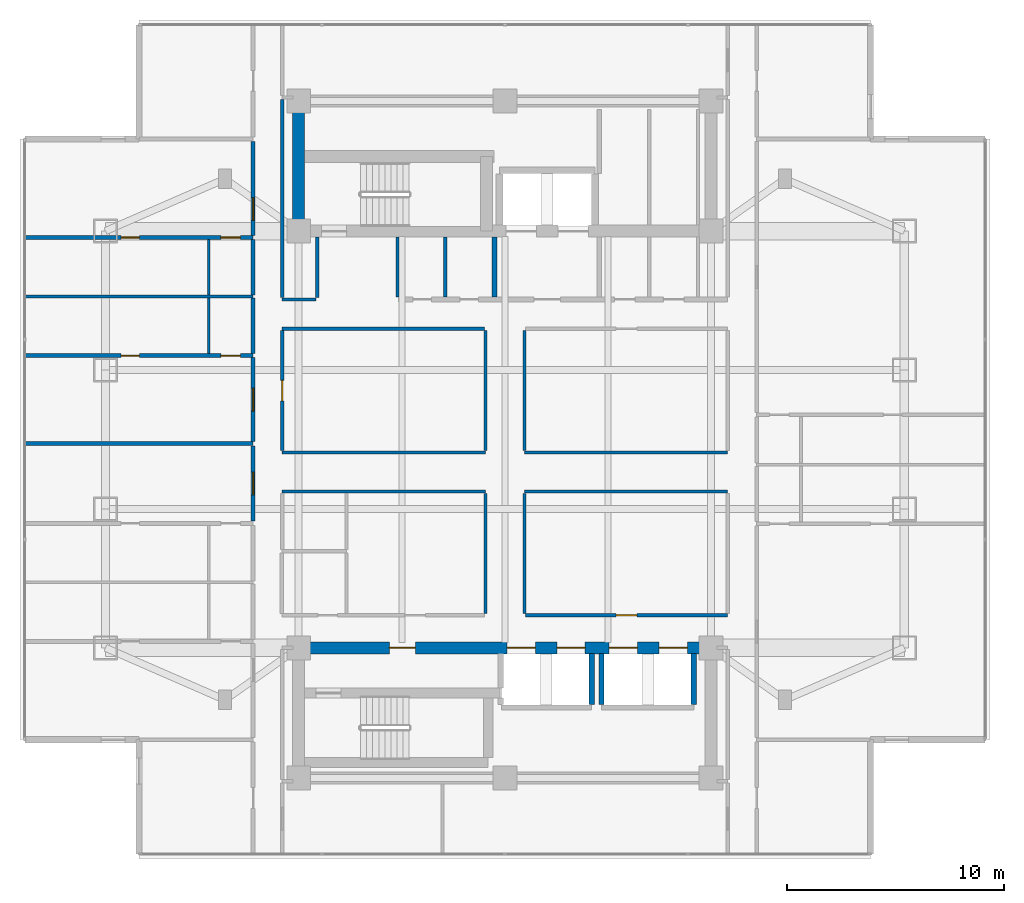
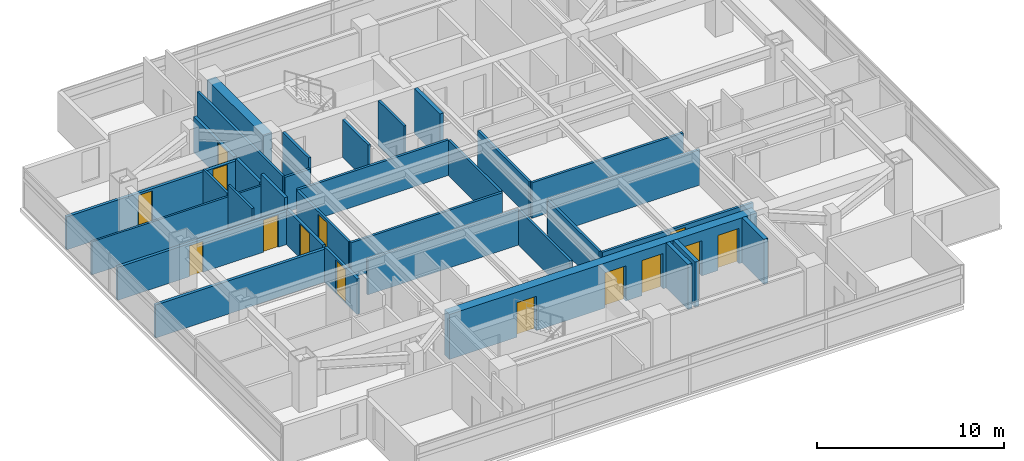
# One storey, part 14 of 24: 33 walls, 14 doors, 14 openings.
"""IFC4 building model written with IfcOpenShell, lengths in metres."""

from ifc_helpers import new_model, si_unit, direction, frame, frame_2d, origin, place, context, subcontext, project, spatial, rectangle, extrude, material, layer, layer_set, type_object, element, fill, save


model = new_model("IFC4")

# Units and contexts
model_context = context("Model", 3, precision=1e-05, world=origin(), true_north=direction((0.0, 1.0)))
body_context = subcontext(model_context, "Body", "Model", "MODEL_VIEW")
ifc_project = project(units=[si_unit("LENGTHUNIT", "METRE"), si_unit("AREAUNIT", "SQUARE_METRE"), si_unit("VOLUMEUNIT", "CUBIC_METRE"), si_unit("PLANEANGLEUNIT", "RADIAN"), si_unit("MASSUNIT", "GRAM", prefix="KILO")], contexts=[model_context])

# Site, building, storey
site_placement = place(None, origin())
site = spatial("IfcSite", under=ifc_project, at=site_placement, CompositionType="ELEMENT")
building_placement = place(site_placement, origin())
building = spatial("IfcBuilding", under=site, at=building_placement, Name="Mirazonda Arch Towers", CompositionType="ELEMENT")
storey_placement = place(building_placement, frame((0.0, 0.0, 144.5)))
storey = spatial("IfcBuildingStorey", under=building, at=storey_placement, Name="L41", CompositionType="ELEMENT", Elevation=144.5)

# Wall
ifc_material_1 = material(Name="Concrete C50/60", Category="concrete")
ifc_layer_1 = layer(ifc_material_1, 0.550048828125, Name="WALL-CORE-550")
ifc_layer_set_1 = layer_set([ifc_layer_1], Name="Concrete C50/60")
wall_type_1 = type_object("IfcWallType", Name="WALL-CORE-550", PredefinedType="SHEAR", material=ifc_layer_set_1)
wall_1_placement = place(storey_placement, frame((11.0, 37.60009765625, 0.0), z_axis=(0.0, 0.0, 1.0), x_axis=(0.0, 1.0, 0.0)))
element("IfcWall", 1, at=wall_1_placement, inside=storey, type_object=wall_type_1, Name="L41 T1N-W Core Shear Wall", PredefinedType="SHEAR", context=body_context, shape_type="SweptSolid", body=[
    extrude(rectangle(XDim=6.0, YDim=0.550048828125, at=frame_2d((3.0, 0.0))), origin(), (0.0, 0.0, 1.0), 2.93994140625),
])

# Wall, openings, doors
wall_2_placement = place(storey_placement, frame((11.0, 18.39990234375, 0.0), z_axis=(0.0, 0.0, 1.0), x_axis=(1.0, 0.0, 0.0)))
wall_2 = element("IfcWall", 2, at=wall_2_placement, inside=storey, type_object=wall_type_1, Name="L41 T1S-N Core Shear Wall", PredefinedType="SHEAR", context=body_context, shape_type="SweptSolid", body=[
    extrude(rectangle(XDim=19.0, YDim=0.550048828125, at=frame_2d((9.5, 0.0))), origin(), (0.0, 0.0, 1.0), 2.93994140625),
])
opening_1_placement = place(wall_2_placement, frame((4.175048828125, 0.0, 0.0)))
opening_1 = element("IfcOpeningElement", 3, at=opening_1_placement, cuts=wall_2, Name="Opening DR-117", PredefinedType="OPENING", context=body_context, shape_type="SweptSolid", body=[
    extrude(rectangle(XDim=1.199951171875, YDim=2.25, at=frame_2d((0.60009765625, 1.125))), frame((0.0, 0.284912109375, 0.0), z_axis=(0.0, -1.0, 0.0), x_axis=(1.0, 0.0, 0.0)), (0.0, 0.0, 1.0), 0.570068359375),
])
opening_2_placement = place(wall_2_placement, frame((9.60009765625, 0.0, 0.0)))
opening_2 = element("IfcOpeningElement", 4, at=opening_2_placement, cuts=wall_2, Name="Opening LD-111", PredefinedType="OPENING", context=body_context, shape_type="SweptSolid", body=[
    extrude(rectangle(XDim=1.300048828125, YDim=2.300048828125, at=frame_2d((0.64990234375, 1.14990234375))), frame((0.0, 0.284912109375, 0.0), z_axis=(0.0, -1.0, 0.0), x_axis=(1.0, 0.0, 0.0)), (0.0, 0.0, 1.0), 0.570068359375),
])
opening_3_placement = place(wall_2_placement, frame((11.89990234375, 0.0, 0.0)))
opening_3 = element("IfcOpeningElement", 5, at=opening_3_placement, cuts=wall_2, Name="Opening LD-111", PredefinedType="OPENING", context=body_context, shape_type="SweptSolid", body=[
    extrude(rectangle(XDim=1.300048828125, YDim=2.300048828125, at=frame_2d((0.64990234375, 1.14990234375))), frame((0.0, 0.284912109375, 0.0), z_axis=(0.0, -1.0, 0.0), x_axis=(1.0, 0.0, 0.0)), (0.0, 0.0, 1.0), 0.570068359375),
])
opening_4_placement = place(wall_2_placement, frame((14.300048828125, 0.0, 0.0)))
opening_4 = element("IfcOpeningElement", 6, at=opening_4_placement, cuts=wall_2, Name="Opening LD-111", PredefinedType="OPENING", context=body_context, shape_type="SweptSolid", body=[
    extrude(rectangle(XDim=1.300048828125, YDim=2.300048828125, at=frame_2d((0.64990234375, 1.14990234375))), frame((0.0, 0.284912109375, 0.0), z_axis=(0.0, -1.0, 0.0), x_axis=(1.0, 0.0, 0.0)), (0.0, 0.0, 1.0), 0.570068359375),
])
opening_5_placement = place(wall_2_placement, frame((16.60009765625, 0.0, 0.0)))
opening_5 = element("IfcOpeningElement", 7, at=opening_5_placement, cuts=wall_2, Name="Opening LD-111", PredefinedType="OPENING", context=body_context, shape_type="SweptSolid", body=[
    extrude(rectangle(XDim=1.300048828125, YDim=2.300048828125, at=frame_2d((0.64990234375, 1.14990234375))), frame((0.0, 0.284912109375, 0.0), z_axis=(0.0, -1.0, 0.0), x_axis=(1.0, 0.0, 0.0)), (0.0, 0.0, 1.0), 0.570068359375),
])
ifc_material_2 = material(Name="Architectural Brushed Steel S355", Category="steel")
door_type_1 = type_object("IfcDoorType", Name="DOOR-FFL-FD90-1200", OperationType="NOTDEFINED", PredefinedType="DOOR", material=ifc_material_2)
door_1_placement = place(opening_1_placement, origin())
door_1 = element("IfcDoor", 8, at=door_1_placement, inside=storey, type_object=door_type_1, Name="L41 South Core Stair & Lift Lobby Door", OperationType="SINGLE_SWING_LEFT", OverallHeight=2.25, OverallWidth=1.199951171875, PredefinedType="DOOR", context=body_context, shape_type="SweptSolid", body=[
    extrude(rectangle(XDim=1.199951171875, YDim=2.25, at=frame_2d((0.60009765625, 1.125))), frame((0.0, 0.02490234375, 0.0), z_axis=(0.0, -1.0, 0.0), x_axis=(1.0, 0.0, 0.0)), (0.0, 0.0, 1.0), 0.050048828125),
])
fill(opening_1, door_1)
door_type_2 = type_object("IfcDoorType", Name="DOOR-LIFT-LAND-1300", OperationType="NOTDEFINED", PredefinedType="DOOR", material=ifc_material_2)
door_2_placement = place(opening_2_placement, origin())
door_2 = element("IfcDoor", 9, at=door_2_placement, inside=storey, type_object=door_type_2, Name="L41 Lift Landing Sliding Door PL-T1M1", OperationType="DOUBLE_DOOR_SLIDING", OverallHeight=2.300048828125, OverallWidth=1.300048828125, PredefinedType="DOOR", context=body_context, shape_type="SweptSolid", body=[
    extrude(rectangle(XDim=1.300048828125, YDim=2.300048828125, at=frame_2d((0.64990234375, 1.14990234375))), frame((0.0, 0.02490234375, 0.0), z_axis=(0.0, -1.0, 0.0), x_axis=(1.0, 0.0, 0.0)), (0.0, 0.0, 1.0), 0.050048828125),
])
fill(opening_2, door_2)
door_3_placement = place(opening_3_placement, origin())
door_3 = element("IfcDoor", 10, at=door_3_placement, inside=storey, type_object=door_type_2, Name="L41 Lift Landing Sliding Door PL-T1M2", OperationType="DOUBLE_DOOR_SLIDING", OverallHeight=2.300048828125, OverallWidth=1.300048828125, PredefinedType="DOOR", context=body_context, shape_type="SweptSolid", body=[
    extrude(rectangle(XDim=1.300048828125, YDim=2.300048828125, at=frame_2d((0.64990234375, 1.14990234375))), frame((0.0, 0.02490234375, 0.0), z_axis=(0.0, -1.0, 0.0), x_axis=(1.0, 0.0, 0.0)), (0.0, 0.0, 1.0), 0.050048828125),
])
fill(opening_3, door_3)
door_4_placement = place(opening_4_placement, origin())
door_4 = element("IfcDoor", 11, at=door_4_placement, inside=storey, type_object=door_type_2, Name="L41 Lift Landing Sliding Door PL-T1H1", OperationType="DOUBLE_DOOR_SLIDING", OverallHeight=2.300048828125, OverallWidth=1.300048828125, PredefinedType="DOOR", context=body_context, shape_type="SweptSolid", body=[
    extrude(rectangle(XDim=1.300048828125, YDim=2.300048828125, at=frame_2d((0.64990234375, 1.14990234375))), frame((0.0, 0.02490234375, 0.0), z_axis=(0.0, -1.0, 0.0), x_axis=(1.0, 0.0, 0.0)), (0.0, 0.0, 1.0), 0.050048828125),
])
fill(opening_4, door_4)
door_5_placement = place(opening_5_placement, origin())
door_5 = element("IfcDoor", 12, at=door_5_placement, inside=storey, type_object=door_type_2, Name="L41 Lift Landing Sliding Door PL-T1H2", OperationType="DOUBLE_DOOR_SLIDING", OverallHeight=2.300048828125, OverallWidth=1.300048828125, PredefinedType="DOOR", context=body_context, shape_type="SweptSolid", body=[
    extrude(rectangle(XDim=1.300048828125, YDim=2.300048828125, at=frame_2d((0.64990234375, 1.14990234375))), frame((0.0, 0.02490234375, 0.0), z_axis=(0.0, -1.0, 0.0), x_axis=(1.0, 0.0, 0.0)), (0.0, 0.0, 1.0), 0.050048828125),
])
fill(opening_5, door_5)

# Wall
ifc_material_3 = material(Name="Concrete C40/50", Category="concrete")
ifc_layer_2 = layer(ifc_material_3, 0.219970703125, Name="WALL-FFL-220")
ifc_layer_set_2 = layer_set([ifc_layer_2], Name="Concrete C40/50")
wall_type_2 = type_object("IfcWallType", Name="WALL-FFL-220", PredefinedType="SOLIDWALL", material=ifc_layer_set_2)
wall_3_placement = place(storey_placement, frame((20.02490234375, 34.570068359375, 0.0), z_axis=(0.0, 0.0, 1.0), x_axis=(0.0, 1.0, 0.0)))
element("IfcWall", 13, at=wall_3_placement, inside=storey, type_object=wall_type_2, Name="L41 Interior Partition 093", PredefinedType="SOLIDWALL", context=body_context, shape_type="SweptSolid", body=[
    extrude(rectangle(XDim=2.760009765625, YDim=0.219970703125, at=frame_2d((1.3798828125, 0.0))), origin(), (0.0, 0.0, 1.0), 2.93994140625),
])

# Wall, opening, door
ifc_material_4 = material(Name="Fire-Rated Gypsum Stud Partition")
ifc_layer_3 = layer(ifc_material_4, 0.14990234375, Name="WALL-PART-CORR-150")
ifc_layer_set_3 = layer_set([ifc_layer_3], Name="Fire-Rated Gypsum Stud Partition")
wall_type_3 = type_object("IfcWallType", Name="WALL-PART-CORR-150", PredefinedType="PARTITIONING", material=ifc_layer_set_3)
wall_4_placement = place(storey_placement, frame((21.43994140625, 19.89990234375, 0.0), z_axis=(0.0, 0.0, 1.0), x_axis=(1.0, 0.0, 0.0)))
wall_4 = element("IfcWall", 14, at=wall_4_placement, inside=storey, type_object=wall_type_3, Name="L41 Interior Partition 017", PredefinedType="PARTITIONING", context=body_context, shape_type="SweptSolid", body=[
    extrude(rectangle(XDim=9.320068359375, YDim=0.14990234375, at=frame_2d((4.66015625, 0.0))), origin(), (0.0, 0.0, 1.0), 2.31591796875),
])
opening_6_placement = place(wall_4_placement, frame((4.18505859375, 0.0, 0.0)))
opening_6 = element("IfcOpeningElement", 15, at=opening_6_placement, cuts=wall_4, Name="Opening DR-104", PredefinedType="OPENING", context=body_context, shape_type="SweptSolid", body=[
    extrude(rectangle(XDim=0.949951171875, YDim=2.14990234375, at=frame_2d((0.47509765625, 1.074951171875))), frame((0.0, 0.0849609375, 0.0), z_axis=(0.0, -1.0, 0.0), x_axis=(1.0, 0.0, 0.0)), (0.0, 0.0, 1.0), 0.169921875),
])
door_type_3 = type_object("IfcDoorType", Name="DOOR-ROOM-950", OperationType="NOTDEFINED", PredefinedType="DOOR", material=ifc_material_2)
door_6_placement = place(opening_6_placement, origin())
door_6 = element("IfcDoor", 16, at=door_6_placement, inside=storey, type_object=door_type_3, Name="L41 L41 South-East Cruciform Lounge Door", OperationType="SINGLE_SWING_RIGHT", OverallHeight=2.14990234375, OverallWidth=0.949951171875, PredefinedType="DOOR", context=body_context, shape_type="SweptSolid", body=[
    extrude(rectangle(XDim=0.949951171875, YDim=2.14990234375, at=frame_2d((0.47509765625, 1.074951171875))), frame((0.0, 0.02490234375, 0.0), z_axis=(0.0, -1.0, 0.0), x_axis=(1.0, 0.0, 0.0)), (0.0, 0.0, 1.0), 0.050048828125),
])
fill(opening_6, door_6)

# Walls
for number, where, z_axis, x_axis, name in (
    (17, (10.239990234375, 25.60009765625, 0.0), (0.0, 0.0, 1.0), (1.0, 0.0, 0.0), "L41 Interior Partition 029"),
    (18, (21.39990234375, 25.60009765625, 0.0), (0.0, 0.0, 1.0), (1.0, 0.0, 0.0), "L41 Interior Partition 030"),
    (19, (10.239990234375, 27.39990234375, 0.0), (0.0, 0.0, 1.0), (1.0, 0.0, 0.0), "L41 Interior Partition 034"),
    (20, (21.39990234375, 27.39990234375, 0.0), (0.0, 0.0, 1.0), (1.0, 0.0, 0.0), "L41 Interior Partition 035"),
):
    element("IfcWall", number, at=place(storey_placement, frame(where, z_axis=z_axis, x_axis=x_axis)), inside=storey, type_object=wall_type_3, Name=name, PredefinedType="PARTITIONING", context=body_context, shape_type="SweptSolid", body=[
        extrude(rectangle(XDim=9.360107421875, YDim=0.14990234375, at=frame_2d((4.68017578125, 0.0))), origin(), (0.0, 0.0, 1.0), 2.31591796875),
    ])
wall_5_placement = place(storey_placement, frame((10.239990234375, 33.10009765625, 0.0), z_axis=(0.0, 0.0, 1.0), x_axis=(1.0, 0.0, 0.0)))
element("IfcWall", 21, at=wall_5_placement, inside=storey, type_object=wall_type_3, Name="L41 Interior Partition 045", PredefinedType="PARTITIONING", context=body_context, shape_type="SweptSolid", body=[
    extrude(rectangle(XDim=9.320068359375, YDim=0.14990234375, at=frame_2d((4.66015625, 0.0))), origin(), (0.0, 0.0, 1.0), 2.31591796875),
])
wall_6_placement = place(storey_placement, frame((10.239990234375, 34.449951171875, 0.0), z_axis=(0.0, 0.0, 1.0), x_axis=(1.0, 0.0, 0.0)))
element("IfcWall", 22, at=wall_6_placement, inside=storey, type_object=wall_type_3, Name="L41 Interior Partition 048", PredefinedType="PARTITIONING", context=body_context, shape_type="SweptSolid", body=[
    extrude(rectangle(XDim=1.56005859375, YDim=0.14990234375, at=frame_2d((0.780029296875, 0.0))), origin(), (0.0, 0.0, 1.0), 2.31591796875),
])

# Wall, opening, door
wall_7_placement = place(storey_placement, frame((10.239990234375, 27.485107421875, 0.0), z_axis=(0.0, 0.0, 1.0), x_axis=(0.0, 1.0, 0.0)))
wall_7 = element("IfcWall", 23, at=wall_7_placement, inside=storey, type_object=wall_type_3, Name="L41 Interior Partition 081", PredefinedType="PARTITIONING", context=body_context, shape_type="SweptSolid", body=[
    extrude(rectangle(XDim=5.52978515625, YDim=0.14990234375, at=frame_2d((2.764892578125, 0.0))), origin(), (0.0, 0.0, 1.0), 2.31591796875),
])
opening_7_placement = place(wall_7_placement, frame((2.2900390625, 0.0, 0.0)))
opening_7 = element("IfcOpeningElement", 24, at=opening_7_placement, cuts=wall_7, Name="Opening DR-104", PredefinedType="OPENING", context=body_context, shape_type="SweptSolid", body=[
    extrude(rectangle(XDim=0.949951171875, YDim=2.14990234375, at=frame_2d((0.47509765625, 1.074951171875))), frame((0.0, 0.0849609375, 0.0), z_axis=(0.0, -1.0, 0.0), x_axis=(1.0, 0.0, 0.0)), (0.0, 0.0, 1.0), 0.169921875),
])
door_7_placement = place(opening_7_placement, origin())
door_7 = element("IfcDoor", 25, at=door_7_placement, inside=storey, type_object=door_type_3, Name="L41 L41 West Courtyard Reading Salon Door", OperationType="SINGLE_SWING_LEFT", OverallHeight=2.14990234375, OverallWidth=0.949951171875, PredefinedType="DOOR", context=body_context, shape_type="SweptSolid", body=[
    extrude(rectangle(XDim=0.949951171875, YDim=2.14990234375, at=frame_2d((0.47509765625, 1.074951171875))), frame((0.0, 0.02490234375, 0.0), z_axis=(0.0, -1.0, 0.0), x_axis=(1.0, 0.0, 0.0)), (0.0, 0.0, 1.0), 0.050048828125),
])
fill(opening_7, door_7)

# Walls
wall_8_placement = place(storey_placement, frame((10.239990234375, 34.534912109375, 0.0), z_axis=(0.0, 0.0, 1.0), x_axis=(0.0, 1.0, 0.0)))
element("IfcWall", 26, at=wall_8_placement, inside=storey, type_object=wall_type_3, Name="L41 Interior Partition 082", PredefinedType="PARTITIONING", context=body_context, shape_type="SweptSolid", body=[
    extrude(rectangle(XDim=9.130126953125, YDim=0.14990234375, at=frame_2d((4.56494140625, 0.0))), origin(), (0.0, 0.0, 1.0), 2.31591796875),
])
wall_9_placement = place(storey_placement, frame((11.85009765625, 34.534912109375, 0.0), z_axis=(0.0, 0.0, 1.0), x_axis=(0.0, 1.0, 0.0)))
element("IfcWall", 27, at=wall_9_placement, inside=storey, type_object=wall_type_3, Name="L41 Interior Partition 084", PredefinedType="PARTITIONING", context=body_context, shape_type="SweptSolid", body=[
    extrude(rectangle(XDim=2.795166015625, YDim=0.14990234375, at=frame_2d((1.3974609375, 0.0))), origin(), (0.0, 0.0, 1.0), 2.93994140625),
])
wall_10_placement = place(storey_placement, frame((15.550048828125, 34.570068359375, 0.0), z_axis=(0.0, 0.0, 1.0), x_axis=(0.0, 1.0, 0.0)))
element("IfcWall", 28, at=wall_10_placement, inside=storey, type_object=wall_type_3, Name="L41 Interior Partition 087", PredefinedType="PARTITIONING", context=body_context, shape_type="SweptSolid", body=[
    extrude(rectangle(XDim=2.760009765625, YDim=0.14990234375, at=frame_2d((1.3798828125, 0.0))), origin(), (0.0, 0.0, 1.0), 2.468994140625),
])
wall_11_placement = place(storey_placement, frame((17.75, 34.570068359375, 0.0), z_axis=(0.0, 0.0, 1.0), x_axis=(0.0, 1.0, 0.0)))
element("IfcWall", 29, at=wall_11_placement, inside=storey, type_object=wall_type_3, Name="L41 Interior Partition 089", PredefinedType="PARTITIONING", context=body_context, shape_type="SweptSolid", body=[
    extrude(rectangle(XDim=2.760009765625, YDim=0.14990234375, at=frame_2d((1.3798828125, 0.0))), origin(), (0.0, 0.0, 1.0), 2.93994140625),
])
for number, where, z_axis, x_axis, name in (
    (30, (19.60009765625, 19.985107421875, 0.0), (0.0, 0.0, 1.0), (0.0, 1.0, 0.0), "L41 Interior Partition 090"),
    (31, (19.60009765625, 27.485107421875, 0.0), (0.0, 0.0, 1.0), (0.0, 1.0, 0.0), "L41 Interior Partition 091"),
    (32, (21.39990234375, 19.985107421875, 0.0), (0.0, 0.0, 1.0), (0.0, 1.0, 0.0), "L41 Interior Partition 097"),
    (33, (21.39990234375, 27.485107421875, 0.0), (0.0, 0.0, 1.0), (0.0, 1.0, 0.0), "L41 Interior Partition 098"),
):
    element("IfcWall", number, at=place(storey_placement, frame(where, z_axis=z_axis, x_axis=x_axis)), inside=storey, type_object=wall_type_3, Name=name, PredefinedType="PARTITIONING", context=body_context, shape_type="SweptSolid", body=[
        extrude(rectangle(XDim=5.52978515625, YDim=0.14990234375, at=frame_2d((2.764892578125, 0.0))), origin(), (0.0, 0.0, 1.0), 2.31591796875),
    ])
ifc_material_5 = material(Name="Fire-Rated Gypsum Twin-Stud Assembly")
ifc_layer_4 = layer(ifc_material_5, 0.179931640625, Name="WALL-PART-DEMISE-180")
ifc_layer_set_4 = layer_set([ifc_layer_4], Name="Fire-Rated Gypsum Twin-Stud Assembly")
wall_type_4 = type_object("IfcWallType", Name="WALL-PART-DEMISE-180", PredefinedType="PARTITIONING", material=ifc_layer_set_4)
wall_12_placement = place(storey_placement, frame((-1.6201171875, 27.805908203125, 0.0), z_axis=(0.0, 0.0, 1.0), x_axis=(1.0, 0.0, 0.0)))
element("IfcWall", 34, at=wall_12_placement, inside=storey, type_object=wall_type_4, Name="L41 Interior Partition 036", PredefinedType="PARTITIONING", context=body_context, shape_type="SweptSolid", body=[
    extrude(rectangle(XDim=10.52001953125, YDim=0.179931640625, at=frame_2d((5.260009765625, 0.0))), origin(), (0.0, 0.0, 1.0), 2.158935546875),
])

# Wall, openings, doors
wall_13_placement = place(storey_placement, frame((-1.6201171875, 31.864990234375, 0.0), z_axis=(0.0, 0.0, 1.0), x_axis=(1.0, 0.0, 0.0)))
wall_13 = element("IfcWall", 35, at=wall_13_placement, inside=storey, type_object=wall_type_4, Name="L41 Interior Partition 041", PredefinedType="PARTITIONING", context=body_context, shape_type="SweptSolid", body=[
    extrude(rectangle(XDim=10.52001953125, YDim=0.179931640625, at=frame_2d((5.260009765625, 0.0))), origin(), (0.0, 0.0, 1.0), 2.158935546875),
])
opening_8_placement = place(wall_13_placement, frame((4.43505859375, 0.0, 0.0)))
opening_8 = element("IfcOpeningElement", 36, at=opening_8_placement, cuts=wall_13, Name="Opening DR-128", PredefinedType="OPENING", context=body_context, shape_type="SweptSolid", body=[
    extrude(rectangle(XDim=0.85009765625, YDim=2.010009765625, at=frame_2d((0.425048828125, 1.0048828125))), frame((0.0, 0.099853515625, 0.0), z_axis=(0.0, -1.0, 0.0), x_axis=(1.0, 0.0, 0.0)), (0.0, 0.0, 1.0), 0.199951171875),
])
opening_9_placement = place(wall_13_placement, frame((9.030029296875, 0.0, 0.0)))
opening_9 = element("IfcOpeningElement", 37, at=opening_9_placement, cuts=wall_13, Name="Opening DR-120", PredefinedType="OPENING", context=body_context, shape_type="SweptSolid", body=[
    extrude(rectangle(XDim=0.89990234375, YDim=2.10009765625, at=frame_2d((0.449951171875, 1.050048828125))), frame((0.0, 0.099853515625, 0.0), z_axis=(0.0, -1.0, 0.0), x_axis=(1.0, 0.0, 0.0)), (0.0, 0.0, 1.0), 0.199951171875),
])
door_type_4 = type_object("IfcDoorType", Name="DOOR-RISER-FD60-850", OperationType="NOTDEFINED", PredefinedType="DOOR", material=ifc_material_2)
door_8_placement = place(opening_8_placement, origin())
door_8 = element("IfcDoor", 38, at=door_8_placement, inside=storey, type_object=door_type_4, Name="L41 Guestroom Study 3 Door", OperationType="SINGLE_SWING_LEFT", OverallHeight=2.010009765625, OverallWidth=0.85009765625, PredefinedType="DOOR", context=body_context, shape_type="SweptSolid", body=[
    extrude(rectangle(XDim=0.85009765625, YDim=2.010009765625, at=frame_2d((0.425048828125, 1.0048828125))), frame((0.0, 0.02490234375, 0.0), z_axis=(0.0, -1.0, 0.0), x_axis=(1.0, 0.0, 0.0)), (0.0, 0.0, 1.0), 0.050048828125),
])
fill(opening_8, door_8)
door_type_5 = type_object("IfcDoorType", Name="DOOR-WC-900", OperationType="NOTDEFINED", PredefinedType="DOOR", material=ifc_material_2)
door_9_placement = place(opening_9_placement, origin())
door_9 = element("IfcDoor", 39, at=door_9_placement, inside=storey, type_object=door_type_5, Name="L41 En-Suite Bathroom 3 Door", OperationType="SINGLE_SWING_RIGHT", OverallHeight=2.10009765625, OverallWidth=0.89990234375, PredefinedType="DOOR", context=body_context, shape_type="SweptSolid", body=[
    extrude(rectangle(XDim=0.89990234375, YDim=2.10009765625, at=frame_2d((0.449951171875, 1.050048828125))), frame((0.0, 0.02490234375, 0.0), z_axis=(0.0, -1.0, 0.0), x_axis=(1.0, 0.0, 0.0)), (0.0, 0.0, 1.0), 0.050048828125),
])
fill(opening_9, door_9)

wall_14_placement = place(storey_placement, frame((-1.6201171875, 37.304931640625, 0.0), z_axis=(0.0, 0.0, 1.0), x_axis=(1.0, 0.0, 0.0)))
wall_14 = element("IfcWall", 40, at=wall_14_placement, inside=storey, type_object=wall_type_4, Name="L41 Interior Partition 053", PredefinedType="PARTITIONING", context=body_context, shape_type="SweptSolid", body=[
    extrude(rectangle(XDim=10.52001953125, YDim=0.179931640625, at=frame_2d((5.260009765625, 0.0))), origin(), (0.0, 0.0, 1.0), 2.158935546875),
])
opening_10_placement = place(wall_14_placement, frame((4.43505859375, 0.0, 0.0)))
opening_10 = element("IfcOpeningElement", 41, at=opening_10_placement, cuts=wall_14, Name="Opening DR-128", PredefinedType="OPENING", context=body_context, shape_type="SweptSolid", body=[
    extrude(rectangle(XDim=0.85009765625, YDim=2.010009765625, at=frame_2d((0.425048828125, 1.0048828125))), frame((0.0, 0.099853515625, 0.0), z_axis=(0.0, -1.0, 0.0), x_axis=(1.0, 0.0, 0.0)), (0.0, 0.0, 1.0), 0.199951171875),
])
opening_11_placement = place(wall_14_placement, frame((9.030029296875, 0.0, 0.0)))
opening_11 = element("IfcOpeningElement", 42, at=opening_11_placement, cuts=wall_14, Name="Opening DR-120", PredefinedType="OPENING", context=body_context, shape_type="SweptSolid", body=[
    extrude(rectangle(XDim=0.89990234375, YDim=2.10009765625, at=frame_2d((0.449951171875, 1.050048828125))), frame((0.0, 0.099853515625, 0.0), z_axis=(0.0, -1.0, 0.0), x_axis=(1.0, 0.0, 0.0)), (0.0, 0.0, 1.0), 0.199951171875),
])
door_10_placement = place(opening_10_placement, origin())
door_10 = element("IfcDoor", 43, at=door_10_placement, inside=storey, type_object=door_type_4, Name="L41 Guestroom Study 4 Door", OperationType="SINGLE_SWING_RIGHT", OverallHeight=2.010009765625, OverallWidth=0.85009765625, PredefinedType="DOOR", context=body_context, shape_type="SweptSolid", body=[
    extrude(rectangle(XDim=0.85009765625, YDim=2.010009765625, at=frame_2d((0.425048828125, 1.0048828125))), frame((0.0, 0.02490234375, 0.0), z_axis=(0.0, -1.0, 0.0), x_axis=(1.0, 0.0, 0.0)), (0.0, 0.0, 1.0), 0.050048828125),
])
fill(opening_10, door_10)
door_11_placement = place(opening_11_placement, origin())
door_11 = element("IfcDoor", 44, at=door_11_placement, inside=storey, type_object=door_type_5, Name="L41 En-Suite Bathroom 4 Door", OperationType="SINGLE_SWING_LEFT", OverallHeight=2.10009765625, OverallWidth=0.89990234375, PredefinedType="DOOR", context=body_context, shape_type="SweptSolid", body=[
    extrude(rectangle(XDim=0.89990234375, YDim=2.10009765625, at=frame_2d((0.449951171875, 1.050048828125))), frame((0.0, 0.02490234375, 0.0), z_axis=(0.0, -1.0, 0.0), x_axis=(1.0, 0.0, 0.0)), (0.0, 0.0, 1.0), 0.050048828125),
])
fill(opening_11, door_11)

# Wall, opening, door
wall_15_placement = place(storey_placement, frame((8.89990234375, 24.235107421875, 0.0), z_axis=(0.0, 0.0, 1.0), x_axis=(0.0, 1.0, 0.0)))
wall_15 = element("IfcWall", 45, at=wall_15_placement, inside=storey, type_object=wall_type_4, Name="L41 Interior Partition 071", PredefinedType="PARTITIONING", context=body_context, shape_type="SweptSolid", body=[
    extrude(rectangle(XDim=3.470947265625, YDim=0.179931640625, at=frame_2d((1.7353515625, 0.0))), origin(), (0.0, 0.0, 1.0), 2.31591796875),
])
opening_12_placement = place(wall_15_placement, frame((1.21044921875, 0.0, 0.0)))
opening_12 = element("IfcOpeningElement", 46, at=opening_12_placement, cuts=wall_15, Name="Opening DR-121", PredefinedType="OPENING", context=body_context, shape_type="SweptSolid", body=[
    extrude(rectangle(XDim=1.050048828125, YDim=2.199951171875, at=frame_2d((0.52490234375, 1.10009765625))), frame((0.0, 0.099853515625, 0.0), z_axis=(0.0, -1.0, 0.0), x_axis=(1.0, 0.0, 0.0)), (0.0, 0.0, 1.0), 0.199951171875),
])
door_type_6 = type_object("IfcDoorType", Name="DOOR-SUITE-FD60-1050", OperationType="NOTDEFINED", PredefinedType="DOOR", material=ifc_material_2)
door_12_placement = place(opening_12_placement, origin())
door_12 = element("IfcDoor", 47, at=door_12_placement, inside=storey, type_object=door_type_6, Name="L41 Twin Hotel Guestroom 2 Door", OperationType="SINGLE_SWING_LEFT", OverallHeight=2.199951171875, OverallWidth=1.050048828125, PredefinedType="DOOR", context=body_context, shape_type="SweptSolid", body=[
    extrude(rectangle(XDim=1.050048828125, YDim=2.199951171875, at=frame_2d((0.52490234375, 1.10009765625))), frame((0.0, 0.02490234375, 0.0), z_axis=(0.0, -1.0, 0.0), x_axis=(1.0, 0.0, 0.0)), (0.0, 0.0, 1.0), 0.050048828125),
])
fill(opening_12, door_12)

wall_16_placement = place(storey_placement, frame((8.89990234375, 27.906005859375, 0.0), z_axis=(0.0, 0.0, 1.0), x_axis=(0.0, 1.0, 0.0)))
wall_16 = element("IfcWall", 48, at=wall_16_placement, inside=storey, type_object=wall_type_4, Name="L41 Interior Partition 072", PredefinedType="PARTITIONING", context=body_context, shape_type="SweptSolid", body=[
    extrude(rectangle(XDim=3.85888671875, YDim=0.179931640625, at=frame_2d((1.929443359375, 0.0))), origin(), (0.0, 0.0, 1.0), 2.31591796875),
])
opening_13_placement = place(wall_16_placement, frame((1.404541015625, 0.0, 0.0)))
opening_13 = element("IfcOpeningElement", 49, at=opening_13_placement, cuts=wall_16, Name="Opening DR-121", PredefinedType="OPENING", context=body_context, shape_type="SweptSolid", body=[
    extrude(rectangle(XDim=1.050048828125, YDim=2.199951171875, at=frame_2d((0.52490234375, 1.10009765625))), frame((0.0, 0.099853515625, 0.0), z_axis=(0.0, -1.0, 0.0), x_axis=(1.0, 0.0, 0.0)), (0.0, 0.0, 1.0), 0.199951171875),
])
door_13_placement = place(opening_13_placement, origin())
door_13 = element("IfcDoor", 50, at=door_13_placement, inside=storey, type_object=door_type_6, Name="L41 King Hotel Guestroom 3 Door", OperationType="SINGLE_SWING_RIGHT", OverallHeight=2.199951171875, OverallWidth=1.050048828125, PredefinedType="DOOR", context=body_context, shape_type="SweptSolid", body=[
    extrude(rectangle(XDim=1.050048828125, YDim=2.199951171875, at=frame_2d((0.52490234375, 1.10009765625))), frame((0.0, 0.02490234375, 0.0), z_axis=(0.0, -1.0, 0.0), x_axis=(1.0, 0.0, 0.0)), (0.0, 0.0, 1.0), 0.050048828125),
])
fill(opening_13, door_13)

# Walls
wall_17_placement = place(storey_placement, frame((8.89990234375, 31.965087890625, 0.0), z_axis=(0.0, 0.0, 1.0), x_axis=(0.0, 1.0, 0.0)))
element("IfcWall", 51, at=wall_17_placement, inside=storey, type_object=wall_type_4, Name="L41 Interior Partition 073", PredefinedType="PARTITIONING", context=body_context, shape_type="SweptSolid", body=[
    extrude(rectangle(XDim=2.54736328125, YDim=0.179931640625, at=frame_2d((1.273681640625, 0.0))), origin(), (0.0, 0.0, 1.0), 2.93994140625),
])
wall_18_placement = place(storey_placement, frame((8.89990234375, 34.657470703125, 0.0), z_axis=(0.0, 0.0, 1.0), x_axis=(0.0, 1.0, 0.0)))
element("IfcWall", 52, at=wall_18_placement, inside=storey, type_object=wall_type_4, Name="L41 Interior Partition 074", PredefinedType="PARTITIONING", context=body_context, shape_type="SweptSolid", body=[
    extrude(rectangle(XDim=2.547607421875, YDim=0.179931640625, at=frame_2d((1.27392578125, 0.0))), origin(), (0.0, 0.0, 1.0), 2.33203125),
])

# Wall, opening, door
wall_19_placement = place(storey_placement, frame((8.89990234375, 37.405029296875, 0.0), z_axis=(0.0, 0.0, 1.0), x_axis=(0.0, 1.0, 0.0)))
wall_19 = element("IfcWall", 53, at=wall_19_placement, inside=storey, type_object=wall_type_4, Name="L41 Interior Partition 075", PredefinedType="PARTITIONING", context=body_context, shape_type="SweptSolid", body=[
    extrude(rectangle(XDim=4.328857421875, YDim=0.179931640625, at=frame_2d((2.16455078125, 0.0))), origin(), (0.0, 0.0, 1.0), 2.31591796875),
])
opening_14_placement = place(wall_19_placement, frame((0.689453125, 0.0, 0.0)))
opening_14 = element("IfcOpeningElement", 54, at=opening_14_placement, cuts=wall_19, Name="Opening DR-121", PredefinedType="OPENING", context=body_context, shape_type="SweptSolid", body=[
    extrude(rectangle(XDim=1.050048828125, YDim=2.199951171875, at=frame_2d((0.52490234375, 1.10009765625))), frame((0.0, 0.099853515625, 0.0), z_axis=(0.0, -1.0, 0.0), x_axis=(1.0, 0.0, 0.0)), (0.0, 0.0, 1.0), 0.199951171875),
])
door_14_placement = place(opening_14_placement, origin())
door_14 = element("IfcDoor", 55, at=door_14_placement, inside=storey, type_object=door_type_6, Name="L41 Twin Hotel Guestroom 4 Door", OperationType="SINGLE_SWING_LEFT", OverallHeight=2.199951171875, OverallWidth=1.050048828125, PredefinedType="DOOR", context=body_context, shape_type="SweptSolid", body=[
    extrude(rectangle(XDim=1.050048828125, YDim=2.199951171875, at=frame_2d((0.52490234375, 1.10009765625))), frame((0.0, 0.02490234375, 0.0), z_axis=(0.0, -1.0, 0.0), x_axis=(1.0, 0.0, 0.0)), (0.0, 0.0, 1.0), 0.050048828125),
])
fill(opening_14, door_14)

# Walls
ifc_material_6 = material(Name="Acoustic Fire-Rated Gypsum Partition")
ifc_layer_5 = layer(ifc_material_6, 0.125, Name="WALL-PART-UNIT-125")
ifc_layer_set_5 = layer_set([ifc_layer_5], Name="Acoustic Fire-Rated Gypsum Partition")
wall_type_5 = type_object("IfcWallType", Name="WALL-PART-UNIT-125", PredefinedType="PARTITIONING", material=ifc_layer_set_5)
wall_20_placement = place(storey_placement, frame((-1.6201171875, 34.5849609375, 0.0), z_axis=(0.0, 0.0, 1.0), x_axis=(1.0, 0.0, 0.0)))
element("IfcWall", 56, at=wall_20_placement, inside=storey, type_object=wall_type_5, Name="L41 Interior Partition 047", PredefinedType="PARTITIONING", context=body_context, shape_type="SweptSolid", body=[
    extrude(rectangle(XDim=10.52001953125, YDim=0.125, at=frame_2d((5.260009765625, 0.0))), origin(), (0.0, 0.0, 1.0), 2.158935546875),
])
wall_21_placement = place(storey_placement, frame((6.860107421875, 31.965087890625, 0.0), z_axis=(0.0, 0.0, 1.0), x_axis=(0.0, 1.0, 0.0)))
element("IfcWall", 57, at=wall_21_placement, inside=storey, type_object=wall_type_5, Name="L41 Interior Partition 065", PredefinedType="PARTITIONING", context=body_context, shape_type="SweptSolid", body=[
    extrude(rectangle(XDim=2.54736328125, YDim=0.125, at=frame_2d((1.273681640625, 0.0))), origin(), (0.0, 0.0, 1.0), 2.93994140625),
])
wall_22_placement = place(storey_placement, frame((6.860107421875, 34.657470703125, 0.0), z_axis=(0.0, 0.0, 1.0), x_axis=(0.0, 1.0, 0.0)))
element("IfcWall", 58, at=wall_22_placement, inside=storey, type_object=wall_type_5, Name="L41 Interior Partition 066", PredefinedType="PARTITIONING", context=body_context, shape_type="SweptSolid", body=[
    extrude(rectangle(XDim=2.547607421875, YDim=0.125, at=frame_2d((1.27392578125, 0.0))), origin(), (0.0, 0.0, 1.0), 2.33203125),
])
ifc_layer_6 = layer(ifc_material_3, 0.25, Name="WALL-SHAFT-250")
ifc_layer_set_6 = layer_set([ifc_layer_6], Name="Concrete C40/50")
wall_type_6 = type_object("IfcWallType", Name="WALL-SHAFT-250", PredefinedType="SOLIDWALL", material=ifc_layer_set_6)
for number, where, z_axis, x_axis, name in (
    (59, (24.5, 15.784912109375, 0.0), (0.0, 0.0, 1.0), (0.0, 1.0, 0.0), "L41 Interior Partition 099"),
    (60, (24.949951171875, 15.784912109375, 0.0), (0.0, 0.0, 1.0), (0.0, 1.0, 0.0), "L41 Interior Partition 101"),
    (61, (29.199951171875, 15.784912109375, 0.0), (0.0, 0.0, 1.0), (0.0, 1.0, 0.0), "L41 Interior Partition 106"),
):
    element("IfcWall", number, at=place(storey_placement, frame(where, z_axis=z_axis, x_axis=x_axis)), inside=storey, type_object=wall_type_6, Name=name, PredefinedType="SOLIDWALL", context=body_context, shape_type="SweptSolid", body=[
        extrude(rectangle(XDim=2.344970703125, YDim=0.25, at=frame_2d((1.17236328125, 0.0))), origin(), (0.0, 0.0, 1.0), 2.93994140625),
    ])

save(model, "model.ifc")
